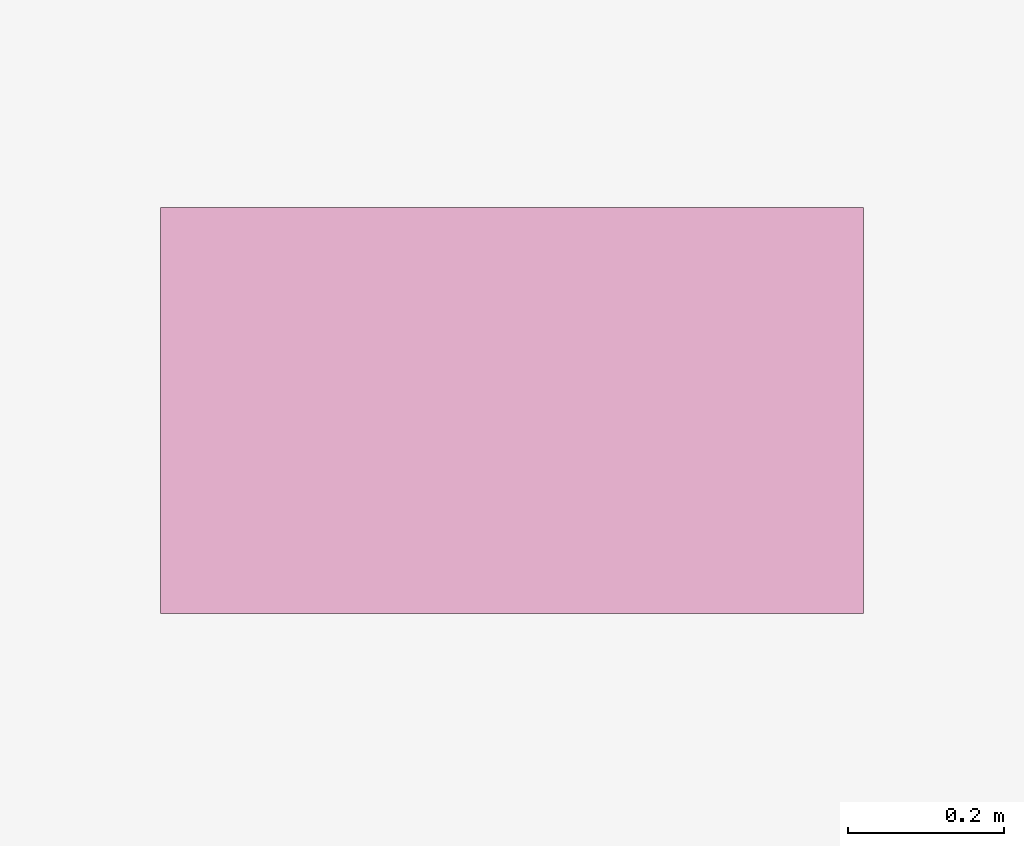
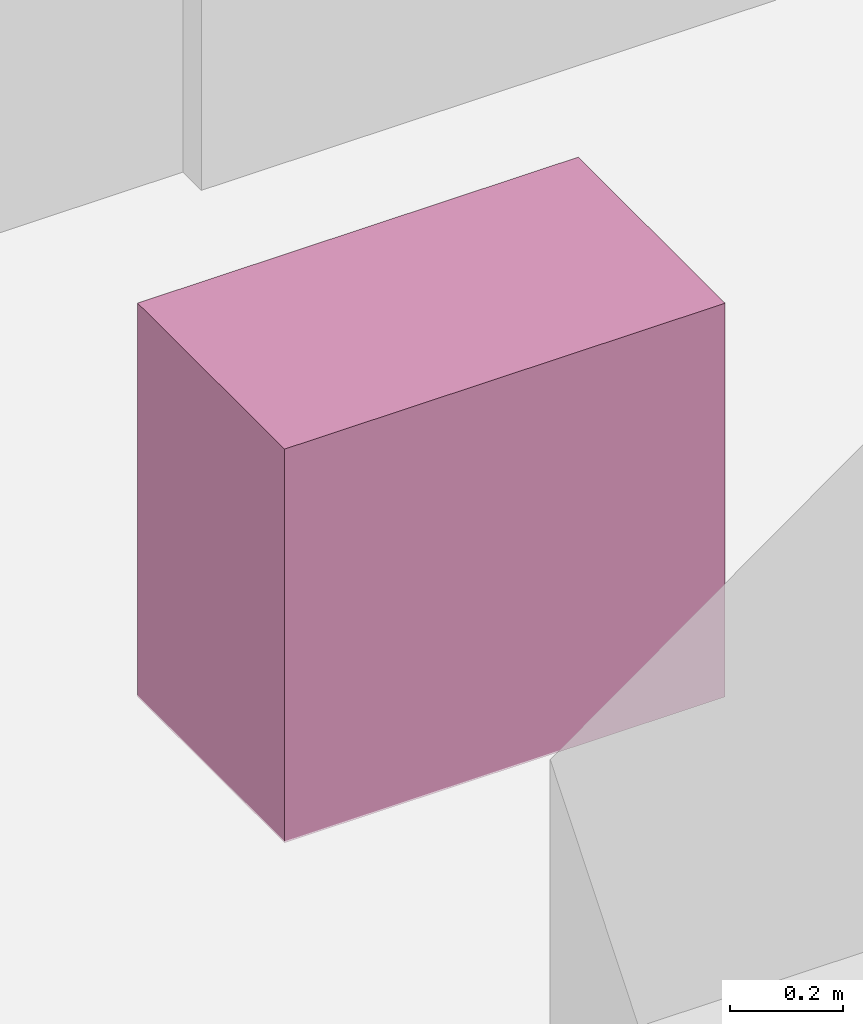
# One storey, part 32 of 32: 1 furnishing.
"""IFC4 building model written with IfcOpenShell, lengths in metres."""

from ifc_helpers import new_model, si_unit, direction, frame, origin, origin_2d, place, context, subcontext, project, spatial, rectangle, extrude, material, type_object, element, save


model = new_model("IFC4")

# Units and contexts
model_context = context("Model", 3, precision=1e-05, world=origin(), true_north=direction((0.0, 1.0)))
body_context = subcontext(model_context, "Body", "Model", "MODEL_VIEW")
ifc_project = project(units=[si_unit("LENGTHUNIT", "METRE"), si_unit("AREAUNIT", "SQUARE_METRE"), si_unit("VOLUMEUNIT", "CUBIC_METRE"), si_unit("PLANEANGLEUNIT", "RADIAN"), si_unit("MASSUNIT", "GRAM", prefix="KILO")], contexts=[model_context])

# Site, building, storey
site_placement = place(None, origin())
site = spatial("IfcSite", under=ifc_project, at=site_placement, CompositionType="ELEMENT")
building_placement = place(site_placement, origin())
building = spatial("IfcBuilding", under=site, at=building_placement, Name="Vorneva Point Tower", CompositionType="ELEMENT")
storey_placement = place(building_placement, frame((0.0, 0.0, 207.199951171875)))
storey = spatial("IfcBuildingStorey", under=building, at=storey_placement, Name="L56", CompositionType="ELEMENT", Elevation=207.199951171875)

# Furnishing
ifc_material = material(Name="Vitreous china and granite top", Category="masonry")
furniture_type = type_object("IfcFurnitureType", Name="FUR-VAN-900", AssemblyPlace="NOTDEFINED", PredefinedType="NOTDEFINED", material=ifc_material)
furnishing_placement = place(storey_placement, frame((35.425048828125, 32.1201171875, -0.0048828125), z_axis=(0.0, 0.0, 1.0), x_axis=(1.0, 0.0, 0.0)))
element("IfcFurnishingElement", 1, at=furnishing_placement, inside=storey, type_object=furniture_type, Name="L56 Accessible WC Vanity Unit", ObjectType="L56 Accessible WC Vanity Unit", context=body_context, shape_type="SweptSolid", body=[
    extrude(rectangle(XDim=0.89990234375, YDim=0.52001953125, at=origin_2d()), origin(), (0.0, 0.0, 1.0), 0.85009765625),
])

save(model, "model.ifc")
